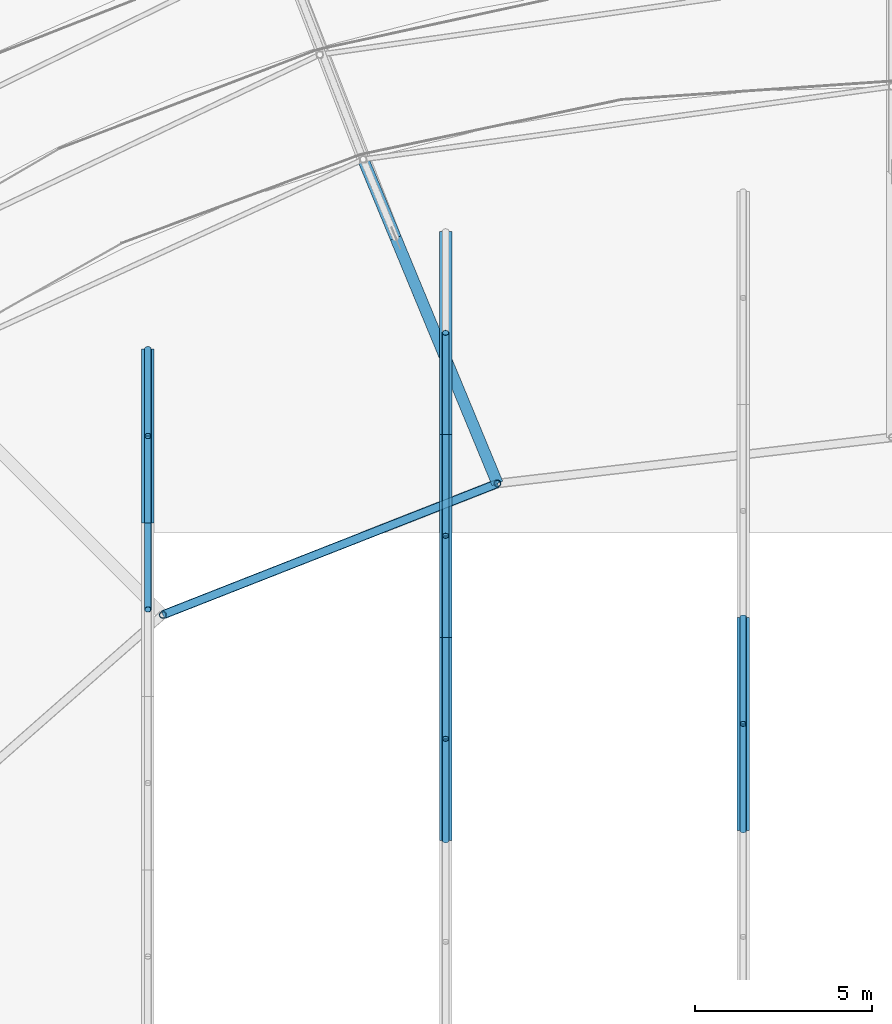
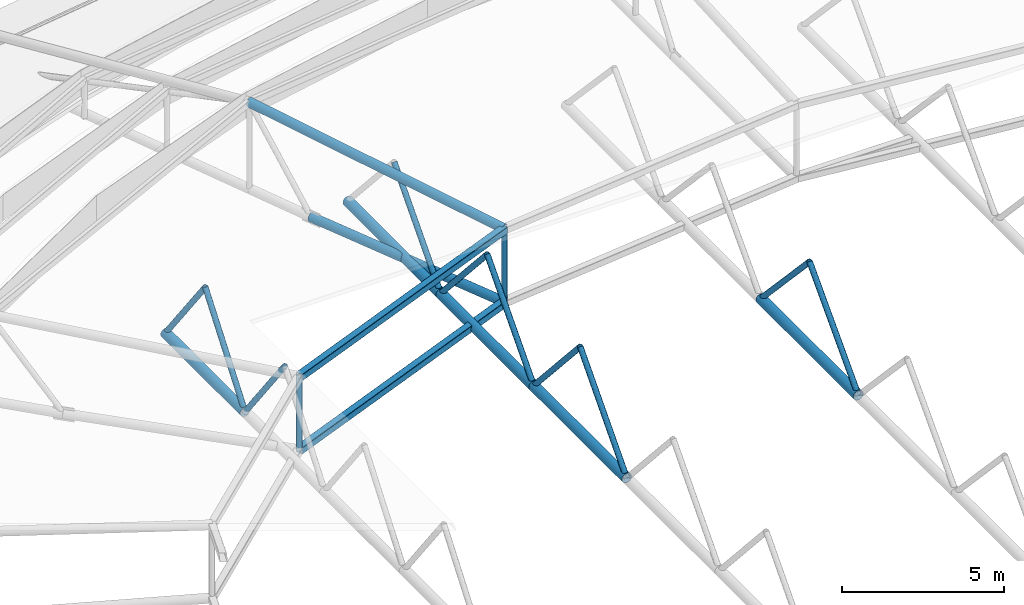
# One storey, part 24 of 134: 21 members.
"""IFC4 building model written with IfcOpenShell, lengths in metres."""

from ifc_helpers import new_model, si_unit, derived_unit, direction, frame, origin, origin_2d, place, context, subcontext, project, spatial, hollow_rectangle, hollow_circle, extrude, material, material_profile, profile_set, type_object, element, save


model = new_model("IFC4")

# Units and contexts
model_context = context("Model", 3, precision=1e-05, world=origin(), true_north=direction((0.0, 1.0)))
body_context = subcontext(model_context, "Body", "Model", "MODEL_VIEW")
ifc_project = project(units=[si_unit("LENGTHUNIT", "METRE"), si_unit("AREAUNIT", "SQUARE_METRE"), si_unit("VOLUMEUNIT", "CUBIC_METRE"), si_unit("PLANEANGLEUNIT", "RADIAN"), si_unit("MASSUNIT", "GRAM", prefix="KILO"), derived_unit("THERMALTRANSMITTANCEUNIT", [(si_unit("MASSUNIT", "GRAM", prefix="KILO"), 1), (si_unit("TIMEUNIT", "SECOND"), -3), (si_unit("THERMODYNAMICTEMPERATUREUNIT", "KELVIN"), -1)])], contexts=[model_context])

# Site, building, storey
site_placement = place(None, origin())
site = spatial("IfcSite", under=ifc_project, at=site_placement, CompositionType="ELEMENT")
building_placement = place(site_placement, origin())
building = spatial("IfcBuilding", under=site, at=building_placement, Name="Kharveza Railside Sports Centre", CompositionType="ELEMENT")
storey_placement = place(building_placement, frame((0.0, 0.0, 12.89990234375)))
storey = spatial("IfcBuildingStorey", under=building, at=storey_placement, Name="L03", CompositionType="ELEMENT", Elevation=12.89990234375)

# Members
ifc_material = material(Name="Steel S355J2", Category="steel")
ifc_material_profile_1 = material_profile(ifc_material, hollow_circle(Radius=0.177734375, WallThickness=0.01611328125, at=origin_2d()), Name="CHS 355.6x16.0")
ifc_profile_set_1 = profile_set([ifc_material_profile_1], Name="Steel S355J2")
member_type_1 = type_object("IfcMemberType", Name="MB-CH01", PredefinedType="CHORD", material=ifc_profile_set_1)
member_1_placement = place(storey_placement, frame((33.60009765625, 65.08984375, -0.0498046875), z_axis=(0.0, 1.0, 0.0), x_axis=(-1.0, 0.0, 0.0)))
element("IfcMember", 1, at=member_1_placement, inside=storey, type_object=member_type_1, Name="MB-V1TR-BC-1-8", PredefinedType="CHORD", context=body_context, shape_type="SweptSolid", body=[
    extrude(hollow_circle(Radius=0.177734375, WallThickness=0.01611328125, at=origin_2d()), origin(), (0.0, 0.0, 1.0), 4.896728515625),
])
for number, where, z_axis, x_axis, name in (
    (2, (42.0, 56.12890625, -0.0498046875), (0.0, 1.0, 0.0), (-1.0, 0.0, 0.0), "MB-V1TR-BC-2-6"),
    (3, (42.0, 61.857666015625, -0.0498046875), (0.0, 1.0, 0.0), (-1.0, 0.0, 0.0), "MB-V1TR-BC-2-7"),
):
    element("IfcMember", number, at=place(storey_placement, frame(where, z_axis=z_axis, x_axis=x_axis)), inside=storey, type_object=member_type_1, Name=name, PredefinedType="CHORD", context=body_context, shape_type="SweptSolid", body=[
        extrude(hollow_circle(Radius=0.177734375, WallThickness=0.01611328125, at=origin_2d()), origin(), (0.0, 0.0, 1.0), 5.728759765625),
    ])
member_2_placement = place(storey_placement, frame((42.0, 67.58642578125, -0.0498046875), z_axis=(0.0, 1.0, 0.0), x_axis=(-1.0, 0.0, 0.0)))
element("IfcMember", 4, at=member_2_placement, inside=storey, type_object=member_type_1, Name="MB-V1TR-BC-2-8", PredefinedType="CHORD", context=body_context, shape_type="SweptSolid", body=[
    extrude(hollow_circle(Radius=0.177734375, WallThickness=0.01611328125, at=origin_2d()), origin(), (0.0, 0.0, 1.0), 5.72900390625),
])
member_3_placement = place(storey_placement, frame((50.39990234375, 56.40966796875, -0.0498046875), z_axis=(0.0, 1.0, 0.0), x_axis=(-1.0, 0.0, 0.0)))
element("IfcMember", 5, at=member_3_placement, inside=storey, type_object=member_type_1, Name="MB-V1TR-BC-3-6", PredefinedType="CHORD", context=body_context, shape_type="SweptSolid", body=[
    extrude(hollow_circle(Radius=0.177734375, WallThickness=0.01611328125, at=origin_2d()), origin(), (0.0, 0.0, 1.0), 6.009521484375),
])
ifc_material_profile_2 = material_profile(ifc_material, hollow_circle(Radius=0.161865234375, WallThickness=0.01611328125, at=origin_2d()), Name="CHS 323.9x16.0")
ifc_profile_set_2 = profile_set([ifc_material_profile_2], Name="Steel S355J2")
member_type_2 = type_object("IfcMemberType", Name="MB-CH02", PredefinedType="CHORD", material=ifc_profile_set_2)
member_4_placement = place(storey_placement, frame((43.4638671875, 66.1982421875, -0.0498046875), z_axis=(-0.382677616283, 0.92388194159, 0.0), x_axis=(-0.92388194159, -0.382677616283, 0.0)))
element("IfcMember", 6, at=member_4_placement, inside=storey, type_object=member_type_2, Name="MB-OUT-BC1-06", PredefinedType="CHORD", context=body_context, shape_type="SweptSolid", body=[
    extrude(hollow_circle(Radius=0.161865234375, WallThickness=0.01611328125, at=origin_2d()), origin(), (0.0, 0.0, 1.0), 7.5),
])
member_5_placement = place(storey_placement, frame((43.4638671875, 66.1982421875, 2.7001953125), z_axis=(-0.382092624756, 0.922458956943, 0.055449967196), x_axis=(-0.923880377367, -0.382681392697, 0.0)))
element("IfcMember", 7, at=member_5_placement, inside=storey, type_object=member_type_2, Name="MB-OUT-TC1-06", PredefinedType="CHORD", context=body_context, shape_type="SweptSolid", body=[
    extrude(hollow_circle(Radius=0.161865234375, WallThickness=0.01611328125, at=origin_2d()), origin(), (0.0, 0.0, 1.0), 9.915283203125),
])
ifc_material_profile_3 = material_profile(ifc_material, hollow_rectangle(XDim=0.25, YDim=0.25, WallThickness=0.012451171875, InnerFilletRadius=0.012451171875, OuterFilletRadius=0.02490234375, at=origin_2d()), Name="SHS 250x250x12.5")
ifc_profile_set_3 = profile_set([ifc_material_profile_3], Name="Steel S355J2")
member_type_3 = type_object("IfcMemberType", Name="MB-CH05", PredefinedType="CHORD", material=ifc_profile_set_3)
for number, where, z_axis, x_axis, name in (
    (8, (43.4638671875, 66.1982421875, -0.0498046875), (-0.930820233657, -0.365477348977, 0.0), (0.365477348977, -0.930820233657, 0.0), "MB-INRING-BOT-06"),
    (9, (43.4638671875, 66.1982421875, 2.7001953125), (-0.930820233657, -0.365477348977, 0.0), (0.365477348977, -0.930820233657, 0.0), "MB-INRING-TOP-06"),
):
    element("IfcMember", number, at=place(storey_placement, frame(where, z_axis=z_axis, x_axis=x_axis)), inside=storey, type_object=member_type_3, Name=name, PredefinedType="CHORD", context=body_context, shape_type="SweptSolid", body=[
        extrude(hollow_rectangle(XDim=0.25, YDim=0.25, WallThickness=0.012451171875, InnerFilletRadius=0.012451171875, OuterFilletRadius=0.02490234375, at=origin_2d()), origin(), (0.0, 0.0, 1.0), 10.142333984375),
    ])
ifc_material_profile_4 = material_profile(ifc_material, hollow_circle(Radius=0.096923828125, WallThickness=0.010009765625, at=origin_2d()), Name="CHS 193.7x10.0")
ifc_profile_set_4 = profile_set([ifc_material_profile_4], Name="Steel S355J2")
member_type_4 = type_object("IfcMemberType", Name="MB-ST02", PredefinedType="STRUT", material=ifc_profile_set_4)
for number, where, z_axis, x_axis, name in (
    (10, (43.4638671875, 66.1982421875, -0.0498046875), (0.0, 0.0, 1.0), (1.0, 0.0, 0.0), "MB-OUT-WEB-06-1"),
    (11, (34.023193359375, 62.491455078125, -0.0498046875), (0.0, 0.0, 1.0), (1.0, 0.0, 0.0), "MB-OUT-WEB-07-1"),
):
    element("IfcMember", number, at=place(storey_placement, frame(where, z_axis=z_axis, x_axis=x_axis)), inside=storey, type_object=member_type_4, Name=name, PredefinedType="STRUT", context=body_context, shape_type="SweptSolid", body=[
        extrude(hollow_circle(Radius=0.096923828125, WallThickness=0.010009765625, at=origin_2d()), origin(), (0.0, 0.0, 1.0), 2.75),
    ])
for number, where, z_axis, x_axis, name in (
    (12, (33.60009765625, 62.6416015625, 3.150146484375), (0.0, 0.60764126683, -0.794211615909), (-1.0, 0.0, 0.0), "MB-V1TR-D2-1-7"),
    (13, (33.60009765625, 65.08984375, -0.0498046875), (0.0, 0.60764126683, 0.794211615909), (-1.0, 0.0, 0.0), "MB-V1TR-D1-1-8"),
):
    element("IfcMember", number, at=place(storey_placement, frame(where, z_axis=z_axis, x_axis=x_axis)), inside=storey, type_object=member_type_4, Name=name, PredefinedType="STRUT", context=body_context, shape_type="SweptSolid", body=[
        extrude(hollow_circle(Radius=0.096923828125, WallThickness=0.010009765625, at=origin_2d()), origin(), (0.0, 0.0, 1.0), 4.029052734375),
    ])
member_6_placement = place(storey_placement, frame((33.60009765625, 67.5380859375, 3.150146484375), z_axis=(0.0, 0.607679486015, -0.794182373436), x_axis=(-1.0, 0.0, 0.0)))
element("IfcMember", 14, at=member_6_placement, inside=storey, type_object=member_type_4, Name="MB-V1TR-D2-1-8", PredefinedType="STRUT", context=body_context, shape_type="SweptSolid", body=[
    extrude(hollow_circle(Radius=0.096923828125, WallThickness=0.010009765625, at=origin_2d()), origin(), (0.0, 0.0, 1.0), 4.029296875),
])
for number, where, z_axis, x_axis, name in (
    (15, (42.0, 56.12890625, -0.0498046875), (0.0, 0.666974298635, 0.745080723788), (-1.0, 0.0, 0.0), "MB-V1TR-D1-2-6"),
    (16, (42.0, 58.993408203125, 3.150146484375), (0.0, 0.666942739043, -0.745108973801), (-1.0, 0.0, 0.0), "MB-V1TR-D2-2-6"),
    (17, (42.0, 61.857666015625, -0.0498046875), (0.0, 0.666974298635, 0.745080723788), (-1.0, 0.0, 0.0), "MB-V1TR-D1-2-7"),
    (18, (42.0, 64.72216796875, 3.150146484375), (0.0, 0.666942739043, -0.745108973801), (-1.0, 0.0, 0.0), "MB-V1TR-D2-2-7"),
    (19, (42.0, 67.58642578125, -0.0498046875), (0.0, 0.666974298635, 0.745080723788), (-1.0, 0.0, 0.0), "MB-V1TR-D1-2-8"),
):
    element("IfcMember", number, at=place(storey_placement, frame(where, z_axis=z_axis, x_axis=x_axis)), inside=storey, type_object=member_type_4, Name=name, PredefinedType="STRUT", context=body_context, shape_type="SweptSolid", body=[
        extrude(hollow_circle(Radius=0.096923828125, WallThickness=0.010009765625, at=origin_2d()), origin(), (0.0, 0.0, 1.0), 4.294677734375),
    ])
member_7_placement = place(storey_placement, frame((50.39990234375, 56.40966796875, -0.0498046875), z_axis=(0.0, 0.684538468084, 0.728976738802), x_axis=(-1.0, 0.0, 0.0)))
element("IfcMember", 20, at=member_7_placement, inside=storey, type_object=member_type_4, Name="MB-V1TR-D1-3-6", PredefinedType="STRUT", context=body_context, shape_type="SweptSolid", body=[
    extrude(hollow_circle(Radius=0.096923828125, WallThickness=0.010009765625, at=origin_2d()), origin(), (0.0, 0.0, 1.0), 4.3896484375),
])
member_8_placement = place(storey_placement, frame((50.39990234375, 59.41455078125, 3.150146484375), z_axis=(0.0, 0.684508910936, -0.729004493024), x_axis=(-1.0, 0.0, 0.0)))
element("IfcMember", 21, at=member_8_placement, inside=storey, type_object=member_type_4, Name="MB-V1TR-D2-3-6", PredefinedType="STRUT", context=body_context, shape_type="SweptSolid", body=[
    extrude(hollow_circle(Radius=0.096923828125, WallThickness=0.010009765625, at=origin_2d()), origin(), (0.0, 0.0, 1.0), 4.389404296875),
])

save(model, "model.ifc")
